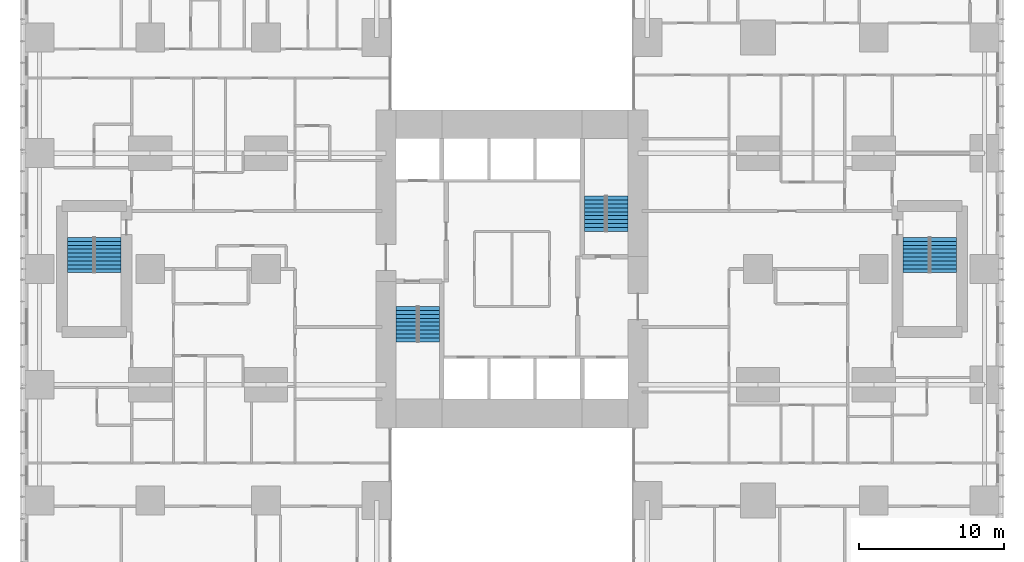
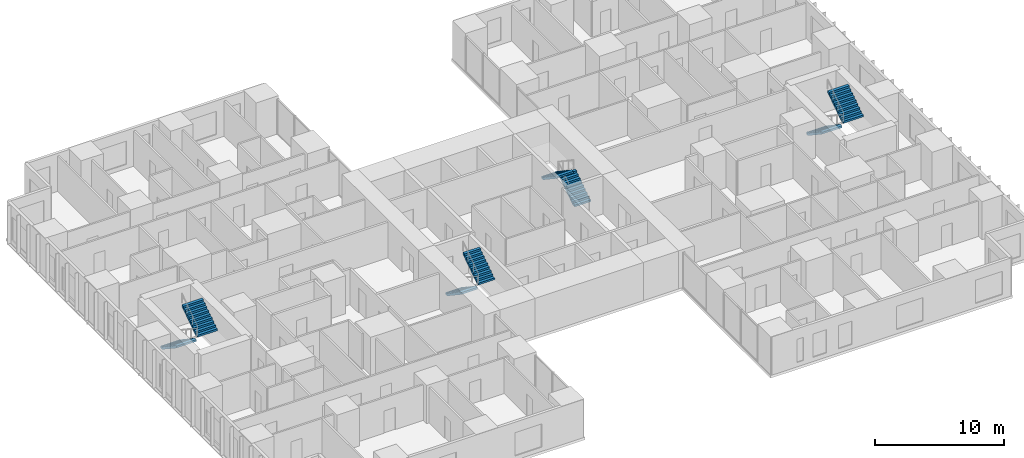
# One storey, part 19 of 20: 8 stair flights, 4 elements without a shape of their own.
"""IFC4 building model written with IfcOpenShell, lengths in metres."""

from ifc_helpers import new_model, si_unit, direction, frame, origin, place, context, subcontext, project, spatial, polyline, outline, extrude, material, type_object, element, aggregate, save


model = new_model("IFC4")

# Units and contexts
model_context = context("Model", 3, precision=1e-05, world=origin(), true_north=direction((0.0, 1.0)))
body_context = subcontext(model_context, "Body", "Model", "MODEL_VIEW")
ifc_project = project(units=[si_unit("LENGTHUNIT", "METRE"), si_unit("AREAUNIT", "SQUARE_METRE"), si_unit("VOLUMEUNIT", "CUBIC_METRE"), si_unit("PLANEANGLEUNIT", "RADIAN"), si_unit("MASSUNIT", "GRAM", prefix="KILO")], contexts=[model_context])

# Site, building, storey
site_placement = place(None, origin())
site = spatial("IfcSite", under=ifc_project, at=site_placement, CompositionType="ELEMENT")
building_placement = place(site_placement, origin())
building = spatial("IfcBuilding", under=site, at=building_placement, Name="Cleftline Residences", CompositionType="ELEMENT")
storey_placement = place(building_placement, frame((0.0, 0.0, 114.199951171875)))
storey = spatial("IfcBuildingStorey", under=building, at=storey_placement, Name="L29", CompositionType="ELEMENT", Elevation=114.199951171875)

# Stair, stair flights
ifc_material_1 = material(Name="Concrete B45, stone treads", Category="masonry")
stair_type_1 = type_object("IfcStairType", Name="STAIR A 1450 WIDE 180 RISER", PredefinedType="HALF_TURN_STAIR", material=ifc_material_1)
stair_1_placement = place(storey_placement, origin())
stair_1 = element("IfcStair", 1, at=stair_1_placement, inside=storey, type_object=stair_type_1, Name="Stair A L29", PredefinedType="HALF_TURN_STAIR")
ifc_material_2 = material(Name="Concrete B45", Category="concrete")
stair_flight_type_1 = type_object("IfcStairFlightType", Name="STAIR A FLIGHT 1450X180", PredefinedType="STRAIGHT", material=ifc_material_2)
stair_flight_1_placement = place(storey_placement, frame((25.72509765625, 21.39990234375, 0.0), z_axis=(0.0, 0.0, 1.0), x_axis=(0.0, -1.0, 0.0)))
stair_flight_1 = element("IfcStairFlight", 2, at=stair_flight_1_placement, type_object=stair_flight_type_1, Name="ST-A flight 1", NumberOfRisers=10, NumberOfTreads=9, PredefinedType="STRAIGHT", RiserHeight=0.18, TreadLength=0.27, context=body_context, shape_type="SweptSolid", body=[
    extrude(outline(polyline([(0.0, 0.0), (0.0, 0.013916015625), (0.0, 0.027587890625), (0.0, 0.04150390625), (0.0, 0.055419921875), (0.0, 0.0693359375), (0.0, 0.0830078125), (0.0, 0.096923828125), (0.0, 0.11083984375), (0.0, 0.12451171875), (0.0, 0.138427734375), (0.0, 0.15234375), (0.0, 0.166259765625), (0.0, 0.179931640625), (0.27001953125, 0.179931640625), (0.27001953125, 0.360107421875), (0.5400390625, 0.360107421875), (0.5400390625, 0.5400390625), (0.81005859375, 0.5400390625), (0.81005859375, 0.719970703125), (1.080078125, 0.719970703125), (1.080078125, 0.89990234375), (1.35009765625, 0.89990234375), (1.35009765625, 1.080078125), (1.6201171875, 1.080078125), (1.6201171875, 1.260009765625), (1.889892578125, 1.260009765625), (1.889892578125, 1.43994140625), (2.159912109375, 1.43994140625), (2.159912109375, 1.6201171875), (2.429931640625, 1.6201171875), (2.429931640625, 1.800048828125), (2.429931640625, 1.772216796875), (2.429931640625, 1.74462890625), (2.429931640625, 1.716796875), (2.429931640625, 1.689208984375), (2.429931640625, 1.661376953125), (2.429931640625, 1.6337890625), (2.429931640625, 1.60595703125), (2.429931640625, 1.578369140625), (2.429931640625, 1.550537109375), (2.429931640625, 1.52294921875), (2.429931640625, 1.495361328125), (2.429931640625, 1.467529296875), (2.429931640625, 1.43994140625), (0.270263671875, 0.0), (0.0, 0.0)])), frame((0.0, 0.72509765625, 0.0), z_axis=(0.0, -1.0, 0.0), x_axis=(1.0, 0.0, 0.0)), (0.0, 0.0, 1.0), 1.449951171875),
])
stair_flight_2_placement = place(storey_placement, frame((27.27490234375, 18.969970703125, 1.800048828125), z_axis=(0.0, 0.0, 1.0), x_axis=(0.0, 1.0, 0.0)))
stair_flight_2 = element("IfcStairFlight", 3, at=stair_flight_2_placement, type_object=stair_flight_type_1, Name="ST-A flight 2", NumberOfRisers=10, NumberOfTreads=9, PredefinedType="STRAIGHT", RiserHeight=0.18, TreadLength=0.27, context=body_context, shape_type="SweptSolid", body=[
    extrude(outline(polyline([(0.0, 0.0), (0.0, 0.013916015625), (0.0, 0.027587890625), (0.0, 0.04150390625), (0.0, 0.055419921875), (0.0, 0.0693359375), (0.0, 0.0830078125), (0.0, 0.096923828125), (0.0, 0.11083984375), (0.0, 0.12451171875), (0.0, 0.138427734375), (0.0, 0.15234375), (0.0, 0.166259765625), (0.0, 0.179931640625), (0.27001953125, 0.179931640625), (0.27001953125, 0.360107421875), (0.5400390625, 0.360107421875), (0.5400390625, 0.5400390625), (0.81005859375, 0.5400390625), (0.81005859375, 0.719970703125), (1.080078125, 0.719970703125), (1.080078125, 0.89990234375), (1.35009765625, 0.89990234375), (1.35009765625, 1.080078125), (1.6201171875, 1.080078125), (1.6201171875, 1.260009765625), (1.889892578125, 1.260009765625), (1.889892578125, 1.43994140625), (2.159912109375, 1.43994140625), (2.159912109375, 1.6201171875), (2.429931640625, 1.6201171875), (2.429931640625, 1.800048828125), (2.429931640625, 1.772216796875), (2.429931640625, 1.74462890625), (2.429931640625, 1.716796875), (2.429931640625, 1.689208984375), (2.429931640625, 1.661376953125), (2.429931640625, 1.6337890625), (2.429931640625, 1.60595703125), (2.429931640625, 1.578369140625), (2.429931640625, 1.550537109375), (2.429931640625, 1.52294921875), (2.429931640625, 1.495361328125), (2.429931640625, 1.467529296875), (2.429931640625, 1.43994140625), (0.270263671875, 0.0), (0.0, 0.0)])), frame((0.0, 0.72509765625, 0.0), z_axis=(0.0, -1.0, 0.0), x_axis=(1.0, 0.0, 0.0)), (0.0, 0.0, 1.0), 1.449951171875),
])
aggregate(stair_1, [stair_flight_1, stair_flight_2])

ifc_material_3 = material(Name="Concrete B45, stone treads", Category="masonry")
stair_type_2 = type_object("IfcStairType", Name="STAIR B 1450 WIDE 180 RISER", PredefinedType="HALF_TURN_STAIR", material=ifc_material_3)
stair_2_placement = place(storey_placement, origin())
stair_2 = element("IfcStair", 4, at=stair_2_placement, inside=storey, type_object=stair_type_2, Name="Stair B L29", PredefinedType="HALF_TURN_STAIR")
ifc_material_4 = material(Name="Concrete B45", Category="concrete")
stair_flight_type_2 = type_object("IfcStairFlightType", Name="STAIR B FLIGHT 1450X180", PredefinedType="STRAIGHT", material=ifc_material_4)
stair_flight_3_placement = place(storey_placement, frame((40.27490234375, 26.60009765625, 0.0), z_axis=(0.0, 0.0, 1.0), x_axis=(0.0, 1.0, 0.0)))
stair_flight_3 = element("IfcStairFlight", 5, at=stair_flight_3_placement, type_object=stair_flight_type_2, Name="ST-B flight 1", NumberOfRisers=10, NumberOfTreads=9, PredefinedType="STRAIGHT", RiserHeight=0.18, TreadLength=0.27, context=body_context, shape_type="SweptSolid", body=[
    extrude(outline(polyline([(0.0, 0.0), (0.0, 0.013916015625), (0.0, 0.027587890625), (0.0, 0.04150390625), (0.0, 0.055419921875), (0.0, 0.0693359375), (0.0, 0.0830078125), (0.0, 0.096923828125), (0.0, 0.11083984375), (0.0, 0.12451171875), (0.0, 0.138427734375), (0.0, 0.15234375), (0.0, 0.166259765625), (0.0, 0.179931640625), (0.27001953125, 0.179931640625), (0.27001953125, 0.360107421875), (0.5400390625, 0.360107421875), (0.5400390625, 0.5400390625), (0.81005859375, 0.5400390625), (0.81005859375, 0.719970703125), (1.080078125, 0.719970703125), (1.080078125, 0.89990234375), (1.35009765625, 0.89990234375), (1.35009765625, 1.080078125), (1.6201171875, 1.080078125), (1.6201171875, 1.260009765625), (1.889892578125, 1.260009765625), (1.889892578125, 1.43994140625), (2.159912109375, 1.43994140625), (2.159912109375, 1.6201171875), (2.429931640625, 1.6201171875), (2.429931640625, 1.800048828125), (2.429931640625, 1.772216796875), (2.429931640625, 1.74462890625), (2.429931640625, 1.716796875), (2.429931640625, 1.689208984375), (2.429931640625, 1.661376953125), (2.429931640625, 1.6337890625), (2.429931640625, 1.60595703125), (2.429931640625, 1.578369140625), (2.429931640625, 1.550537109375), (2.429931640625, 1.52294921875), (2.429931640625, 1.495361328125), (2.429931640625, 1.467529296875), (2.429931640625, 1.43994140625), (0.270263671875, 0.0), (0.0, 0.0)])), frame((0.0, 0.72509765625, 0.0), z_axis=(0.0, -1.0, 0.0), x_axis=(1.0, 0.0, 0.0)), (0.0, 0.0, 1.0), 1.449951171875),
])
stair_flight_4_placement = place(storey_placement, frame((38.72509765625, 29.030029296875, 1.800048828125), z_axis=(0.0, 0.0, 1.0), x_axis=(0.0, -1.0, 0.0)))
stair_flight_4 = element("IfcStairFlight", 6, at=stair_flight_4_placement, type_object=stair_flight_type_2, Name="ST-B flight 2", NumberOfRisers=10, NumberOfTreads=9, PredefinedType="STRAIGHT", RiserHeight=0.18, TreadLength=0.27, context=body_context, shape_type="SweptSolid", body=[
    extrude(outline(polyline([(0.0, 0.0), (0.0, 0.013916015625), (0.0, 0.027587890625), (0.0, 0.04150390625), (0.0, 0.055419921875), (0.0, 0.0693359375), (0.0, 0.0830078125), (0.0, 0.096923828125), (0.0, 0.11083984375), (0.0, 0.12451171875), (0.0, 0.138427734375), (0.0, 0.15234375), (0.0, 0.166259765625), (0.0, 0.179931640625), (0.27001953125, 0.179931640625), (0.27001953125, 0.360107421875), (0.5400390625, 0.360107421875), (0.5400390625, 0.5400390625), (0.81005859375, 0.5400390625), (0.81005859375, 0.719970703125), (1.080078125, 0.719970703125), (1.080078125, 0.89990234375), (1.35009765625, 0.89990234375), (1.35009765625, 1.080078125), (1.6201171875, 1.080078125), (1.6201171875, 1.260009765625), (1.889892578125, 1.260009765625), (1.889892578125, 1.43994140625), (2.159912109375, 1.43994140625), (2.159912109375, 1.6201171875), (2.429931640625, 1.6201171875), (2.429931640625, 1.800048828125), (2.429931640625, 1.772216796875), (2.429931640625, 1.74462890625), (2.429931640625, 1.716796875), (2.429931640625, 1.689208984375), (2.429931640625, 1.661376953125), (2.429931640625, 1.6337890625), (2.429931640625, 1.60595703125), (2.429931640625, 1.578369140625), (2.429931640625, 1.550537109375), (2.429931640625, 1.52294921875), (2.429931640625, 1.495361328125), (2.429931640625, 1.467529296875), (2.429931640625, 1.43994140625), (0.270263671875, 0.0), (0.0, 0.0)])), frame((0.0, 0.72509765625, 0.0), z_axis=(0.0, -1.0, 0.0), x_axis=(1.0, 0.0, 0.0)), (0.0, 0.0, 1.0), 1.449951171875),
])
aggregate(stair_2, [stair_flight_3, stair_flight_4])

ifc_material_5 = material(Name="Concrete B45, stone treads", Category="masonry")
stair_type_3 = type_object("IfcStairType", Name="STAIR E 1800 WIDE 180 RISER", PredefinedType="HALF_TURN_STAIR", material=ifc_material_5)
stair_3_placement = place(storey_placement, origin())
stair_3 = element("IfcStair", 7, at=stair_3_placement, inside=storey, type_object=stair_type_3, Name="Stair E L29", PredefinedType="HALF_TURN_STAIR")
ifc_material_6 = material(Name="Concrete B45", Category="concrete")
stair_flight_type_3 = type_object("IfcStairFlightType", Name="STAIR E FLIGHT 1800X180", PredefinedType="STRAIGHT", material=ifc_material_6)
stair_flight_5_placement = place(storey_placement, frame((60.925048828125, 26.175048828125, 0.0), z_axis=(0.0, 0.0, 1.0), x_axis=(0.0, -1.0, 0.0)))
stair_flight_5 = element("IfcStairFlight", 8, at=stair_flight_5_placement, type_object=stair_flight_type_3, Name="ST-E flight 1", NumberOfRisers=10, NumberOfTreads=9, PredefinedType="STRAIGHT", RiserHeight=0.18, TreadLength=0.27, context=body_context, shape_type="SweptSolid", body=[
    extrude(outline(polyline([(0.0, 0.0), (0.0, 0.013916015625), (0.0, 0.027587890625), (0.0, 0.04150390625), (0.0, 0.055419921875), (0.0, 0.0693359375), (0.0, 0.0830078125), (0.0, 0.096923828125), (0.0, 0.11083984375), (0.0, 0.12451171875), (0.0, 0.138427734375), (0.0, 0.15234375), (0.0, 0.166259765625), (0.0, 0.179931640625), (0.27001953125, 0.179931640625), (0.27001953125, 0.360107421875), (0.5400390625, 0.360107421875), (0.5400390625, 0.5400390625), (0.81005859375, 0.5400390625), (0.81005859375, 0.719970703125), (1.080078125, 0.719970703125), (1.080078125, 0.89990234375), (1.35009765625, 0.89990234375), (1.35009765625, 1.080078125), (1.6201171875, 1.080078125), (1.6201171875, 1.260009765625), (1.889892578125, 1.260009765625), (1.889892578125, 1.43994140625), (2.159912109375, 1.43994140625), (2.159912109375, 1.6201171875), (2.429931640625, 1.6201171875), (2.429931640625, 1.800048828125), (2.429931640625, 1.772216796875), (2.429931640625, 1.74462890625), (2.429931640625, 1.716796875), (2.429931640625, 1.689208984375), (2.429931640625, 1.661376953125), (2.429931640625, 1.6337890625), (2.429931640625, 1.60595703125), (2.429931640625, 1.578369140625), (2.429931640625, 1.550537109375), (2.429931640625, 1.52294921875), (2.429931640625, 1.495361328125), (2.429931640625, 1.467529296875), (2.429931640625, 1.43994140625), (0.270263671875, 0.0), (0.0, 0.0)])), frame((0.0, 0.89990234375, 0.0), z_axis=(0.0, -1.0, 0.0), x_axis=(1.0, 0.0, 0.0)), (0.0, 0.0, 1.0), 1.800048828125),
])
stair_flight_6_placement = place(storey_placement, frame((62.824951171875, 23.7451171875, 1.800048828125), z_axis=(0.0, 0.0, 1.0), x_axis=(0.0, 1.0, 0.0)))
stair_flight_6 = element("IfcStairFlight", 9, at=stair_flight_6_placement, type_object=stair_flight_type_3, Name="ST-E flight 2", NumberOfRisers=10, NumberOfTreads=9, PredefinedType="STRAIGHT", RiserHeight=0.18, TreadLength=0.27, context=body_context, shape_type="SweptSolid", body=[
    extrude(outline(polyline([(0.0, 0.0), (0.0, 0.013916015625), (0.0, 0.027587890625), (0.0, 0.04150390625), (0.0, 0.055419921875), (0.0, 0.0693359375), (0.0, 0.0830078125), (0.0, 0.096923828125), (0.0, 0.11083984375), (0.0, 0.12451171875), (0.0, 0.138427734375), (0.0, 0.15234375), (0.0, 0.166259765625), (0.0, 0.179931640625), (0.27001953125, 0.179931640625), (0.27001953125, 0.360107421875), (0.5400390625, 0.360107421875), (0.5400390625, 0.5400390625), (0.81005859375, 0.5400390625), (0.81005859375, 0.719970703125), (1.080078125, 0.719970703125), (1.080078125, 0.89990234375), (1.35009765625, 0.89990234375), (1.35009765625, 1.080078125), (1.6201171875, 1.080078125), (1.6201171875, 1.260009765625), (1.889892578125, 1.260009765625), (1.889892578125, 1.43994140625), (2.159912109375, 1.43994140625), (2.159912109375, 1.6201171875), (2.429931640625, 1.6201171875), (2.429931640625, 1.800048828125), (2.429931640625, 1.772216796875), (2.429931640625, 1.74462890625), (2.429931640625, 1.716796875), (2.429931640625, 1.689208984375), (2.429931640625, 1.661376953125), (2.429931640625, 1.6337890625), (2.429931640625, 1.60595703125), (2.429931640625, 1.578369140625), (2.429931640625, 1.550537109375), (2.429931640625, 1.52294921875), (2.429931640625, 1.495361328125), (2.429931640625, 1.467529296875), (2.429931640625, 1.43994140625), (0.270263671875, 0.0), (0.0, 0.0)])), frame((0.0, 0.89990234375, 0.0), z_axis=(0.0, -1.0, 0.0), x_axis=(1.0, 0.0, 0.0)), (0.0, 0.0, 1.0), 1.800048828125),
])
aggregate(stair_3, [stair_flight_5, stair_flight_6])

ifc_material_7 = material(Name="Concrete B45, stone treads", Category="masonry")
stair_type_4 = type_object("IfcStairType", Name="STAIR W 1800 WIDE 180 RISER", PredefinedType="HALF_TURN_STAIR", material=ifc_material_7)
stair_4_placement = place(storey_placement, origin())
stair_4 = element("IfcStair", 10, at=stair_4_placement, inside=storey, type_object=stair_type_4, Name="Stair W L29", PredefinedType="HALF_TURN_STAIR")
ifc_material_8 = material(Name="Concrete B45", Category="concrete")
stair_flight_type_4 = type_object("IfcStairFlightType", Name="STAIR W FLIGHT 1800X180", PredefinedType="STRAIGHT", material=ifc_material_8)
stair_flight_7_placement = place(storey_placement, frame((3.175048828125, 26.175048828125, 0.0), z_axis=(0.0, 0.0, 1.0), x_axis=(0.0, -1.0, 0.0)))
stair_flight_7 = element("IfcStairFlight", 11, at=stair_flight_7_placement, type_object=stair_flight_type_4, Name="ST-W flight 1", NumberOfRisers=10, NumberOfTreads=9, PredefinedType="STRAIGHT", RiserHeight=0.18, TreadLength=0.27, context=body_context, shape_type="SweptSolid", body=[
    extrude(outline(polyline([(0.0, 0.0), (0.0, 0.013916015625), (0.0, 0.027587890625), (0.0, 0.04150390625), (0.0, 0.055419921875), (0.0, 0.0693359375), (0.0, 0.0830078125), (0.0, 0.096923828125), (0.0, 0.11083984375), (0.0, 0.12451171875), (0.0, 0.138427734375), (0.0, 0.15234375), (0.0, 0.166259765625), (0.0, 0.179931640625), (0.27001953125, 0.179931640625), (0.27001953125, 0.360107421875), (0.5400390625, 0.360107421875), (0.5400390625, 0.5400390625), (0.81005859375, 0.5400390625), (0.81005859375, 0.719970703125), (1.080078125, 0.719970703125), (1.080078125, 0.89990234375), (1.35009765625, 0.89990234375), (1.35009765625, 1.080078125), (1.6201171875, 1.080078125), (1.6201171875, 1.260009765625), (1.889892578125, 1.260009765625), (1.889892578125, 1.43994140625), (2.159912109375, 1.43994140625), (2.159912109375, 1.6201171875), (2.429931640625, 1.6201171875), (2.429931640625, 1.800048828125), (2.429931640625, 1.772216796875), (2.429931640625, 1.74462890625), (2.429931640625, 1.716796875), (2.429931640625, 1.689208984375), (2.429931640625, 1.661376953125), (2.429931640625, 1.6337890625), (2.429931640625, 1.60595703125), (2.429931640625, 1.578369140625), (2.429931640625, 1.550537109375), (2.429931640625, 1.52294921875), (2.429931640625, 1.495361328125), (2.429931640625, 1.467529296875), (2.429931640625, 1.43994140625), (0.270263671875, 0.0), (0.0, 0.0)])), frame((0.0, 0.89990234375, 0.0), z_axis=(0.0, -1.0, 0.0), x_axis=(1.0, 0.0, 0.0)), (0.0, 0.0, 1.0), 1.800048828125),
])
stair_flight_8_placement = place(storey_placement, frame((5.074951171875, 23.7451171875, 1.800048828125), z_axis=(0.0, 0.0, 1.0), x_axis=(0.0, 1.0, 0.0)))
stair_flight_8 = element("IfcStairFlight", 12, at=stair_flight_8_placement, type_object=stair_flight_type_4, Name="ST-W flight 2", NumberOfRisers=10, NumberOfTreads=9, PredefinedType="STRAIGHT", RiserHeight=0.18, TreadLength=0.27, context=body_context, shape_type="SweptSolid", body=[
    extrude(outline(polyline([(0.0, 0.0), (0.0, 0.013916015625), (0.0, 0.027587890625), (0.0, 0.04150390625), (0.0, 0.055419921875), (0.0, 0.0693359375), (0.0, 0.0830078125), (0.0, 0.096923828125), (0.0, 0.11083984375), (0.0, 0.12451171875), (0.0, 0.138427734375), (0.0, 0.15234375), (0.0, 0.166259765625), (0.0, 0.179931640625), (0.27001953125, 0.179931640625), (0.27001953125, 0.360107421875), (0.5400390625, 0.360107421875), (0.5400390625, 0.5400390625), (0.81005859375, 0.5400390625), (0.81005859375, 0.719970703125), (1.080078125, 0.719970703125), (1.080078125, 0.89990234375), (1.35009765625, 0.89990234375), (1.35009765625, 1.080078125), (1.6201171875, 1.080078125), (1.6201171875, 1.260009765625), (1.889892578125, 1.260009765625), (1.889892578125, 1.43994140625), (2.159912109375, 1.43994140625), (2.159912109375, 1.6201171875), (2.429931640625, 1.6201171875), (2.429931640625, 1.800048828125), (2.429931640625, 1.772216796875), (2.429931640625, 1.74462890625), (2.429931640625, 1.716796875), (2.429931640625, 1.689208984375), (2.429931640625, 1.661376953125), (2.429931640625, 1.6337890625), (2.429931640625, 1.60595703125), (2.429931640625, 1.578369140625), (2.429931640625, 1.550537109375), (2.429931640625, 1.52294921875), (2.429931640625, 1.495361328125), (2.429931640625, 1.467529296875), (2.429931640625, 1.43994140625), (0.270263671875, 0.0), (0.0, 0.0)])), frame((0.0, 0.89990234375, 0.0), z_axis=(0.0, -1.0, 0.0), x_axis=(1.0, 0.0, 0.0)), (0.0, 0.0, 1.0), 1.800048828125),
])
aggregate(stair_4, [stair_flight_7, stair_flight_8])

save(model, "model.ifc")
